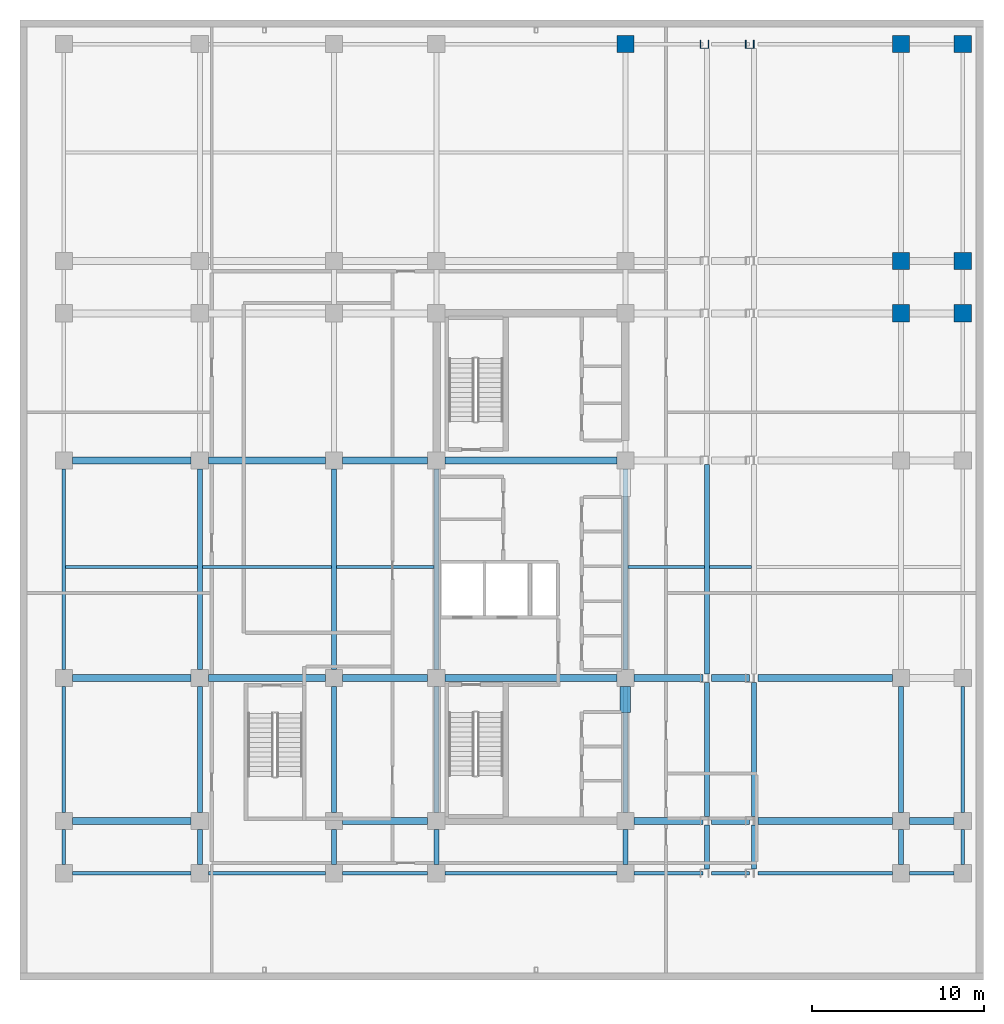
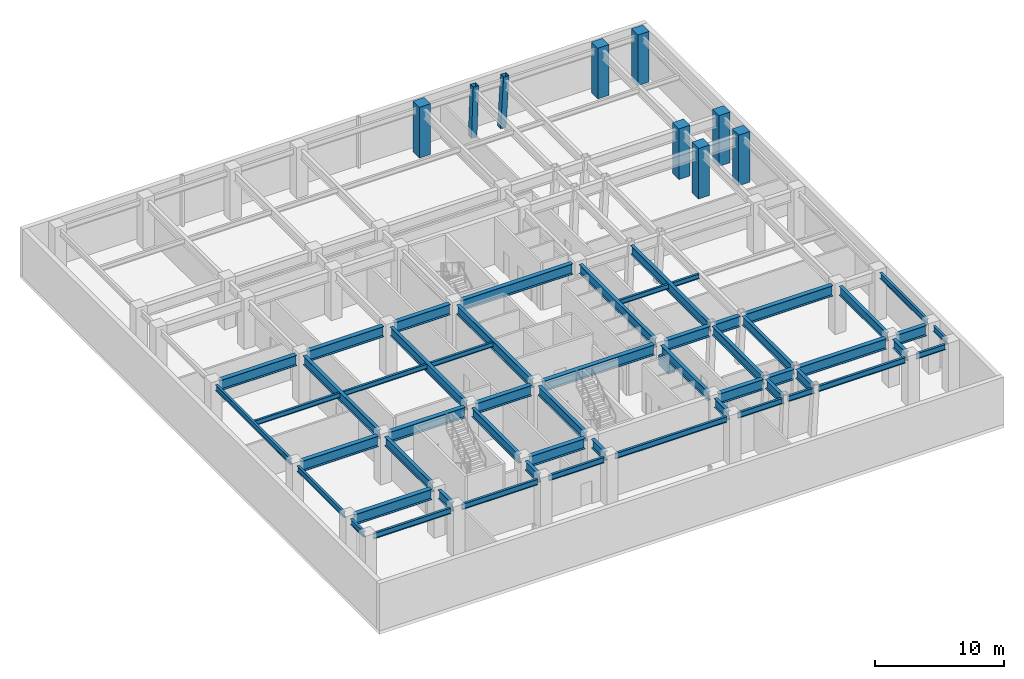
# One storey, part 4 of 9: 55 beams, 9 columns.
"""IFC4 building model written with IfcOpenShell, lengths in metres."""

from ifc_helpers import new_model, si_unit, direction, frame, origin, origin_2d, place, context, subcontext, project, spatial, rectangle, hollow_rectangle, i_section, extrude, material, material_profile, profile_set, type_object, element, save


model = new_model("IFC4")

# Units and contexts
model_context = context("Model", 3, precision=1e-05, world=origin(), true_north=direction((0.0, 1.0)))
body_context = subcontext(model_context, "Body", "Model", "MODEL_VIEW")
ifc_project = project(units=[si_unit("LENGTHUNIT", "METRE"), si_unit("AREAUNIT", "SQUARE_METRE"), si_unit("VOLUMEUNIT", "CUBIC_METRE"), si_unit("PLANEANGLEUNIT", "RADIAN"), si_unit("MASSUNIT", "GRAM", prefix="KILO")], contexts=[model_context])

# Site, building, storey
site_placement = place(None, origin())
site = spatial("IfcSite", under=ifc_project, at=site_placement, CompositionType="ELEMENT")
building_placement = place(site_placement, origin())
building = spatial("IfcBuilding", under=site, at=building_placement, Name="Ochreholt Gables", CompositionType="ELEMENT")
storey_placement = place(building_placement, frame((0.0, 0.0, -4.800048828125)))
storey = spatial("IfcBuildingStorey", under=building, at=storey_placement, Name="B1", CompositionType="ELEMENT", Elevation=-4.800048828125)

# Columns
ifc_material_1 = material(Name="Steel CSA G40.21 350W", Category="steel")
ifc_material_profile_1 = material_profile(ifc_material_1, hollow_rectangle(XDim=0.5, YDim=0.5, WallThickness=0.02197265625, at=origin_2d()), Name="HSS500X500X22")
ifc_profile_set_1 = profile_set([ifc_material_profile_1], Name="Steel CSA G40.21 350W")
column_type_1 = type_object("IfcColumnType", Name="COL-HSS500-RAKE", PredefinedType="COLUMN", material=ifc_profile_set_1)
column_1_placement = place(storey_placement, frame((39.76806640625, 54.39990234375, 0.0), z_axis=(0.034971728386, 0.0, 0.99938830202), x_axis=(0.0, 1.0, 0.0)))
element("IfcColumn", 1, at=column_1_placement, inside=storey, type_object=column_type_1, Name="B1 Column EMY7", PredefinedType="COLUMN", context=body_context, shape_type="SweptSolid", body=[
    extrude(hollow_rectangle(XDim=0.5, YDim=0.5, WallThickness=0.02197265625, at=origin_2d()), origin(), (0.0, 0.0, 1.0), 4.802978515625),
])
column_2_placement = place(storey_placement, frame((42.37841796875, 54.39990234375, 0.0), z_axis=(0.057885584411, 0.0, 0.998323223769), x_axis=(0.0, 1.0, 0.0)))
element("IfcColumn", 2, at=column_2_placement, inside=storey, type_object=column_type_1, Name="B1 Column EEY7", PredefinedType="COLUMN", context=body_context, shape_type="SweptSolid", body=[
    extrude(hollow_rectangle(XDim=0.5, YDim=0.5, WallThickness=0.02197265625, at=origin_2d()), origin(), (0.0, 0.0, 1.0), 4.80810546875),
])
ifc_material_2 = material(Name="Concrete 60 MPa", Category="concrete")
ifc_material_profile_2 = material_profile(ifc_material_2, rectangle(XDim=1.0, YDim=1.0, at=origin_2d()), Name="RC1000X1000")
ifc_profile_set_2 = profile_set([ifc_material_profile_2], Name="Concrete 60 MPa")
column_type_2 = type_object("IfcColumnType", Name="COL-RC1000-EXT", PredefinedType="COLUMN", material=ifc_profile_set_2)
for number, where, z_axis, x_axis, name in (
    (3, (35.199951171875, 54.39990234375, 0.0), (0.0, 0.0, 1.0), (1.0, 0.0, 0.0), "B1 Column C2Y7"),
    (4, (51.199951171875, 54.39990234375, 0.0), (0.0, 0.0, 1.0), (1.0, 0.0, 0.0), "B1 Column E3Y7"),
    (5, (54.800048828125, 38.75, 0.0), (0.0, 0.0, 1.0), (1.0, 0.0, 0.0), "B1 Column E4Y5"),
    (6, (54.800048828125, 41.800048828125, 0.0), (0.0, 0.0, 1.0), (1.0, 0.0, 0.0), "B1 Column E4Y6"),
    (7, (54.800048828125, 54.39990234375, 0.0), (0.0, 0.0, 1.0), (1.0, 0.0, 0.0), "B1 Column E4Y7"),
):
    element("IfcColumn", number, at=place(storey_placement, frame(where, z_axis=z_axis, x_axis=x_axis)), inside=storey, type_object=column_type_2, Name=name, PredefinedType="COLUMN", context=body_context, shape_type="SweptSolid", body=[
        extrude(rectangle(XDim=1.0, YDim=1.0, at=origin_2d()), origin(), (0.0, 0.0, 1.0), 4.800048828125),
    ])
ifc_material_profile_3 = material_profile(ifc_material_2, rectangle(XDim=1.0, YDim=1.0, at=origin_2d()), Name="RC1000X1000")
ifc_profile_set_3 = profile_set([ifc_material_profile_3], Name="Concrete 60 MPa")
column_type_3 = type_object("IfcColumnType", Name="COL-RC1000-INT", PredefinedType="COLUMN", material=ifc_profile_set_3)
for number, where, z_axis, x_axis, name in (
    (8, (51.199951171875, 38.75, 0.0), (0.0, 0.0, 1.0), (1.0, 0.0, 0.0), "B1 Column E3Y5"),
    (9, (51.199951171875, 41.800048828125, 0.0), (0.0, 0.0, 1.0), (1.0, 0.0, 0.0), "B1 Column E3Y6"),
):
    element("IfcColumn", number, at=place(storey_placement, frame(where, z_axis=z_axis, x_axis=x_axis)), inside=storey, type_object=column_type_3, Name=name, PredefinedType="COLUMN", context=body_context, shape_type="SweptSolid", body=[
        extrude(rectangle(XDim=1.0, YDim=1.0, at=origin_2d()), origin(), (0.0, 0.0, 1.0), 4.800048828125),
    ])

# Beams
ifc_material_profile_4 = material_profile(ifc_material_2, rectangle(XDim=0.60009765625, YDim=0.949951171875, at=origin_2d()), Name="RCB600X950")
ifc_profile_set_4 = profile_set([ifc_material_profile_4], Name="Concrete 60 MPa")
beam_type_1 = type_object("IfcBeamType", Name="BM-CPL-RC600", PredefinedType="LINTEL", material=ifc_profile_set_4)
beam_1_placement = place(storey_placement, frame((35.175048828125, 15.550048828125, 3.154052734375), z_axis=(0.0, 1.0, 0.0), x_axis=(-1.0, 0.0, 0.0)))
element("IfcBeam", 10, at=beam_1_placement, inside=storey, type_object=beam_type_1, Name="B1 Core Coupling Lintel CPS", PredefinedType="LINTEL", context=body_context, shape_type="SweptSolid", body=[
    extrude(rectangle(XDim=0.60009765625, YDim=0.949951171875, at=origin_2d()), origin(), (0.0, 0.0, 1.0), 1.5),
])
ifc_material_profile_5 = material_profile(ifc_material_1, i_section(OverallWidth=0.39990234375, OverallDepth=1.0, WebThickness=0.0166015625, FlangeThickness=0.031005859375, at=origin_2d()), Name="W1000X321")
ifc_profile_set_5 = profile_set([ifc_material_profile_5], Name="Steel CSA G40.21 350W")
beam_type_2 = type_object("IfcBeamType", Name="BM-G-W1000", PredefinedType="BEAM", material=ifc_profile_set_5)
beam_2_placement = place(storey_placement, frame((3.049560546875, 9.25, 3.97998046875), z_axis=(1.0, 0.0, 0.0), x_axis=(0.0, 1.0, 0.0)))
element("IfcBeam", 11, at=beam_2_placement, inside=storey, type_object=beam_type_2, Name="B1 Beam BG-B1-W1W2-Y2", PredefinedType="BEAM", context=body_context, shape_type="SweptSolid", body=[
    extrude(i_section(OverallWidth=0.39990234375, OverallDepth=1.0, WebThickness=0.0166015625, FlangeThickness=0.031005859375, at=origin_2d()), origin(), (0.0, 0.0, 1.0), 6.90087890625),
])
beam_3_placement = place(storey_placement, frame((18.74951171875, 9.25, 3.97998046875), z_axis=(1.0, 0.0, 0.0), x_axis=(0.0, 1.0, 0.0)))
element("IfcBeam", 12, at=beam_3_placement, inside=storey, type_object=beam_type_2, Name="B1 Beam BG-B1-W3C1-Y2", PredefinedType="BEAM", context=body_context, shape_type="SweptSolid", body=[
    extrude(i_section(OverallWidth=0.39990234375, OverallDepth=1.0, WebThickness=0.0166015625, FlangeThickness=0.031005859375, at=origin_2d()), origin(), (0.0, 0.0, 1.0), 4.950927734375),
])
beam_4_placement = place(storey_placement, frame((35.69970703125, 9.25, 3.97998046875), z_axis=(1.0, 0.0, 0.0), x_axis=(0.0, 1.0, 0.0)))
element("IfcBeam", 13, at=beam_4_placement, inside=storey, type_object=beam_type_2, Name="B1 Beam BG-B1-C2EM-Y2", PredefinedType="BEAM", context=body_context, shape_type="SweptSolid", body=[
    extrude(i_section(OverallWidth=0.39990234375, OverallDepth=1.0, WebThickness=0.0166015625, FlangeThickness=0.031005859375, at=origin_2d()), origin(), (0.0, 0.0, 1.0), 3.986572265625),
])
beam_5_placement = place(storey_placement, frame((40.185546875, 9.25, 3.97998046875), z_axis=(1.0, 0.0, 0.0), x_axis=(0.0, 1.0, 0.0)))
element("IfcBeam", 14, at=beam_5_placement, inside=storey, type_object=beam_type_2, Name="B1 Beam BG-B1-EMEE-Y2", PredefinedType="BEAM", context=body_context, shape_type="SweptSolid", body=[
    extrude(i_section(OverallWidth=0.39990234375, OverallDepth=1.0, WebThickness=0.0166015625, FlangeThickness=0.031005859375, at=origin_2d()), origin(), (0.0, 0.0, 1.0), 2.2216796875),
])
beam_6_placement = place(storey_placement, frame((42.906494140625, 9.25, 3.97998046875), z_axis=(1.0, 0.0, 0.0), x_axis=(0.0, 1.0, 0.0)))
element("IfcBeam", 15, at=beam_6_placement, inside=storey, type_object=beam_type_2, Name="B1 Beam BG-B1-EEE3-Y2", PredefinedType="BEAM", context=body_context, shape_type="SweptSolid", body=[
    extrude(i_section(OverallWidth=0.39990234375, OverallDepth=1.0, WebThickness=0.0166015625, FlangeThickness=0.031005859375, at=origin_2d()), origin(), (0.0, 0.0, 1.0), 7.7939453125),
])
beam_7_placement = place(storey_placement, frame((51.69970703125, 9.25, 3.97998046875), z_axis=(1.0, 0.0, 0.0), x_axis=(0.0, 1.0, 0.0)))
element("IfcBeam", 16, at=beam_7_placement, inside=storey, type_object=beam_type_2, Name="B1 Beam BG-B1-E3E4-Y2", PredefinedType="BEAM", context=body_context, shape_type="SweptSolid", body=[
    extrude(i_section(OverallWidth=0.39990234375, OverallDepth=1.0, WebThickness=0.0166015625, FlangeThickness=0.031005859375, at=origin_2d()), origin(), (0.0, 0.0, 1.0), 2.6005859375),
])
beam_8_placement = place(storey_placement, frame((3.049560546875, 17.550048828125, 3.97998046875), z_axis=(1.0, 0.0, 0.0), x_axis=(0.0, 1.0, 0.0)))
element("IfcBeam", 17, at=beam_8_placement, inside=storey, type_object=beam_type_2, Name="B1 Beam BG-B1-W1W2-Y3", PredefinedType="BEAM", context=body_context, shape_type="SweptSolid", body=[
    extrude(i_section(OverallWidth=0.39990234375, OverallDepth=1.0, WebThickness=0.0166015625, FlangeThickness=0.031005859375, at=origin_2d()), origin(), (0.0, 0.0, 1.0), 6.90087890625),
])
beam_9_placement = place(storey_placement, frame((10.94970703125, 17.550048828125, 3.97998046875), z_axis=(1.0, 0.0, 0.0), x_axis=(0.0, 1.0, 0.0)))
element("IfcBeam", 18, at=beam_9_placement, inside=storey, type_object=beam_type_2, Name="B1 Beam BG-B1-W2W3-Y3", PredefinedType="BEAM", context=body_context, shape_type="SweptSolid", body=[
    extrude(i_section(OverallWidth=0.39990234375, OverallDepth=1.0, WebThickness=0.0166015625, FlangeThickness=0.031005859375, at=origin_2d()), origin(), (0.0, 0.0, 1.0), 6.80078125),
])
beam_10_placement = place(storey_placement, frame((18.74951171875, 17.550048828125, 3.97998046875), z_axis=(1.0, 0.0, 0.0), x_axis=(0.0, 1.0, 0.0)))
element("IfcBeam", 19, at=beam_10_placement, inside=storey, type_object=beam_type_2, Name="B1 Beam BG-B1-W3C1-Y3", PredefinedType="BEAM", context=body_context, shape_type="SweptSolid", body=[
    extrude(i_section(OverallWidth=0.39990234375, OverallDepth=1.0, WebThickness=0.0166015625, FlangeThickness=0.031005859375, at=origin_2d()), origin(), (0.0, 0.0, 1.0), 4.950927734375),
])
beam_11_placement = place(storey_placement, frame((24.69970703125, 17.550048828125, 3.97998046875), z_axis=(1.0, 0.0, 0.0), x_axis=(0.0, 1.0, 0.0)))
element("IfcBeam", 20, at=beam_11_placement, inside=storey, type_object=beam_type_2, Name="B1 Beam BG-B1-C1C2-Y3", PredefinedType="BEAM", context=body_context, shape_type="SweptSolid", body=[
    extrude(i_section(OverallWidth=0.39990234375, OverallDepth=1.0, WebThickness=0.0166015625, FlangeThickness=0.031005859375, at=origin_2d()), origin(), (0.0, 0.0, 1.0), 10.000732421875),
])
beam_12_placement = place(storey_placement, frame((35.69970703125, 17.550048828125, 3.97998046875), z_axis=(1.0, 0.0, 0.0), x_axis=(0.0, 1.0, 0.0)))
element("IfcBeam", 21, at=beam_12_placement, inside=storey, type_object=beam_type_2, Name="B1 Beam BG-B1-C2EM-Y3", PredefinedType="BEAM", context=body_context, shape_type="SweptSolid", body=[
    extrude(i_section(OverallWidth=0.39990234375, OverallDepth=1.0, WebThickness=0.0166015625, FlangeThickness=0.031005859375, at=origin_2d()), origin(), (0.0, 0.0, 1.0), 3.986572265625),
])
beam_13_placement = place(storey_placement, frame((40.185546875, 17.550048828125, 3.97998046875), z_axis=(1.0, 0.0, 0.0), x_axis=(0.0, 1.0, 0.0)))
element("IfcBeam", 22, at=beam_13_placement, inside=storey, type_object=beam_type_2, Name="B1 Beam BG-B1-EMEE-Y3", PredefinedType="BEAM", context=body_context, shape_type="SweptSolid", body=[
    extrude(i_section(OverallWidth=0.39990234375, OverallDepth=1.0, WebThickness=0.0166015625, FlangeThickness=0.031005859375, at=origin_2d()), origin(), (0.0, 0.0, 1.0), 2.2216796875),
])
beam_14_placement = place(storey_placement, frame((42.906494140625, 17.550048828125, 3.97998046875), z_axis=(1.0, 0.0, 0.0), x_axis=(0.0, 1.0, 0.0)))
element("IfcBeam", 23, at=beam_14_placement, inside=storey, type_object=beam_type_2, Name="B1 Beam BG-B1-EEE3-Y3", PredefinedType="BEAM", context=body_context, shape_type="SweptSolid", body=[
    extrude(i_section(OverallWidth=0.39990234375, OverallDepth=1.0, WebThickness=0.0166015625, FlangeThickness=0.031005859375, at=origin_2d()), origin(), (0.0, 0.0, 1.0), 7.7939453125),
])
beam_15_placement = place(storey_placement, frame((3.049560546875, 30.199951171875, 3.97998046875), z_axis=(1.0, 0.0, 0.0), x_axis=(0.0, 1.0, 0.0)))
element("IfcBeam", 24, at=beam_15_placement, inside=storey, type_object=beam_type_2, Name="B1 Beam BG-B1-W1W2-Y4", PredefinedType="BEAM", context=body_context, shape_type="SweptSolid", body=[
    extrude(i_section(OverallWidth=0.39990234375, OverallDepth=1.0, WebThickness=0.0166015625, FlangeThickness=0.031005859375, at=origin_2d()), origin(), (0.0, 0.0, 1.0), 6.90087890625),
])
beam_16_placement = place(storey_placement, frame((10.94970703125, 30.199951171875, 3.97998046875), z_axis=(1.0, 0.0, 0.0), x_axis=(0.0, 1.0, 0.0)))
element("IfcBeam", 25, at=beam_16_placement, inside=storey, type_object=beam_type_2, Name="B1 Beam BG-B1-W2W3-Y4", PredefinedType="BEAM", context=body_context, shape_type="SweptSolid", body=[
    extrude(i_section(OverallWidth=0.39990234375, OverallDepth=1.0, WebThickness=0.0166015625, FlangeThickness=0.031005859375, at=origin_2d()), origin(), (0.0, 0.0, 1.0), 6.80078125),
])
beam_17_placement = place(storey_placement, frame((18.74951171875, 30.199951171875, 3.97998046875), z_axis=(1.0, 0.0, 0.0), x_axis=(0.0, 1.0, 0.0)))
element("IfcBeam", 26, at=beam_17_placement, inside=storey, type_object=beam_type_2, Name="B1 Beam BG-B1-W3C1-Y4", PredefinedType="BEAM", context=body_context, shape_type="SweptSolid", body=[
    extrude(i_section(OverallWidth=0.39990234375, OverallDepth=1.0, WebThickness=0.0166015625, FlangeThickness=0.031005859375, at=origin_2d()), origin(), (0.0, 0.0, 1.0), 4.950927734375),
])
beam_18_placement = place(storey_placement, frame((24.69970703125, 30.199951171875, 3.97998046875), z_axis=(1.0, 0.0, 0.0), x_axis=(0.0, 1.0, 0.0)))
element("IfcBeam", 27, at=beam_18_placement, inside=storey, type_object=beam_type_2, Name="B1 Beam BG-B1-C1C2-Y4", PredefinedType="BEAM", context=body_context, shape_type="SweptSolid", body=[
    extrude(i_section(OverallWidth=0.39990234375, OverallDepth=1.0, WebThickness=0.0166015625, FlangeThickness=0.031005859375, at=origin_2d()), origin(), (0.0, 0.0, 1.0), 10.000732421875),
])
ifc_material_profile_6 = material_profile(ifc_material_1, i_section(OverallWidth=0.2939453125, OverallDepth=0.85107421875, WebThickness=0.01611328125, FlangeThickness=0.02685546875, at=origin_2d()), Name="W840X226")
ifc_profile_set_6 = profile_set([ifc_material_profile_6], Name="Steel CSA G40.21 350W")
beam_type_3 = type_object("IfcBeamType", Name="BM-G-W840", PredefinedType="BEAM", material=ifc_profile_set_6)
beam_19_placement = place(storey_placement, frame((10.449951171875, 6.69970703125, 4.054443359375), z_axis=(0.0, 1.0, 0.0), x_axis=(-1.0, 0.0, 0.0)))
element("IfcBeam", 28, at=beam_19_placement, inside=storey, type_object=beam_type_3, Name="B1 Beam BG-B1-W2-Y1Y2", PredefinedType="BEAM", context=body_context, shape_type="SweptSolid", body=[
    extrude(i_section(OverallWidth=0.2939453125, OverallDepth=0.85107421875, WebThickness=0.01611328125, FlangeThickness=0.02685546875, at=origin_2d()), origin(), (0.0, 0.0, 1.0), 2.05078125),
])
beam_20_placement = place(storey_placement, frame((10.449951171875, 9.74951171875, 4.054443359375), z_axis=(0.0, 1.0, 0.0), x_axis=(-1.0, 0.0, 0.0)))
element("IfcBeam", 29, at=beam_20_placement, inside=storey, type_object=beam_type_3, Name="B1 Beam BG-B1-W2-Y2Y3", PredefinedType="BEAM", context=body_context, shape_type="SweptSolid", body=[
    extrude(i_section(OverallWidth=0.2939453125, OverallDepth=0.85107421875, WebThickness=0.01611328125, FlangeThickness=0.02685546875, at=origin_2d()), origin(), (0.0, 0.0, 1.0), 7.30078125),
])
beam_21_placement = place(storey_placement, frame((10.449951171875, 18.049560546875, 4.054443359375), z_axis=(0.0, 1.0, 0.0), x_axis=(-1.0, 0.0, 0.0)))
element("IfcBeam", 30, at=beam_21_placement, inside=storey, type_object=beam_type_3, Name="B1 Beam BG-B1-W2-Y3Y4", PredefinedType="BEAM", context=body_context, shape_type="SweptSolid", body=[
    extrude(i_section(OverallWidth=0.2939453125, OverallDepth=0.85107421875, WebThickness=0.01611328125, FlangeThickness=0.02685546875, at=origin_2d()), origin(), (0.0, 0.0, 1.0), 11.65087890625),
])
beam_22_placement = place(storey_placement, frame((18.25, 6.69970703125, 4.054443359375), z_axis=(0.0, 1.0, 0.0), x_axis=(-1.0, 0.0, 0.0)))
element("IfcBeam", 31, at=beam_22_placement, inside=storey, type_object=beam_type_3, Name="B1 Beam BG-B1-W3-Y1Y2", PredefinedType="BEAM", context=body_context, shape_type="SweptSolid", body=[
    extrude(i_section(OverallWidth=0.2939453125, OverallDepth=0.85107421875, WebThickness=0.01611328125, FlangeThickness=0.02685546875, at=origin_2d()), origin(), (0.0, 0.0, 1.0), 2.05078125),
])
beam_23_placement = place(storey_placement, frame((18.25, 9.74951171875, 4.054443359375), z_axis=(0.0, 1.0, 0.0), x_axis=(-1.0, 0.0, 0.0)))
element("IfcBeam", 32, at=beam_23_placement, inside=storey, type_object=beam_type_3, Name="B1 Beam BG-B1-W3-Y2Y3", PredefinedType="BEAM", context=body_context, shape_type="SweptSolid", body=[
    extrude(i_section(OverallWidth=0.2939453125, OverallDepth=0.85107421875, WebThickness=0.01611328125, FlangeThickness=0.02685546875, at=origin_2d()), origin(), (0.0, 0.0, 1.0), 7.30078125),
])
beam_24_placement = place(storey_placement, frame((18.25, 18.049560546875, 4.054443359375), z_axis=(0.0, 1.0, 0.0), x_axis=(-1.0, 0.0, 0.0)))
element("IfcBeam", 33, at=beam_24_placement, inside=storey, type_object=beam_type_3, Name="B1 Beam BG-B1-W3-Y3Y4", PredefinedType="BEAM", context=body_context, shape_type="SweptSolid", body=[
    extrude(i_section(OverallWidth=0.2939453125, OverallDepth=0.85107421875, WebThickness=0.01611328125, FlangeThickness=0.02685546875, at=origin_2d()), origin(), (0.0, 0.0, 1.0), 11.65087890625),
])
beam_25_placement = place(storey_placement, frame((24.199951171875, 6.69970703125, 4.054443359375), z_axis=(0.0, 1.0, 0.0), x_axis=(-1.0, 0.0, 0.0)))
element("IfcBeam", 34, at=beam_25_placement, inside=storey, type_object=beam_type_3, Name="B1 Beam BG-B1-C1-Y1Y2", PredefinedType="BEAM", context=body_context, shape_type="SweptSolid", body=[
    extrude(i_section(OverallWidth=0.2939453125, OverallDepth=0.85107421875, WebThickness=0.01611328125, FlangeThickness=0.02685546875, at=origin_2d()), origin(), (0.0, 0.0, 1.0), 2.05078125),
])
beam_26_placement = place(storey_placement, frame((24.199951171875, 9.74951171875, 4.054443359375), z_axis=(0.0, 1.0, 0.0), x_axis=(-1.0, 0.0, 0.0)))
element("IfcBeam", 35, at=beam_26_placement, inside=storey, type_object=beam_type_3, Name="B1 Beam BG-B1-C1-Y2Y3", PredefinedType="BEAM", context=body_context, shape_type="SweptSolid", body=[
    extrude(i_section(OverallWidth=0.2939453125, OverallDepth=0.85107421875, WebThickness=0.01611328125, FlangeThickness=0.02685546875, at=origin_2d()), origin(), (0.0, 0.0, 1.0), 7.30078125),
])
beam_27_placement = place(storey_placement, frame((24.199951171875, 18.049560546875, 4.054443359375), z_axis=(0.0, 1.0, 0.0), x_axis=(-1.0, 0.0, 0.0)))
element("IfcBeam", 36, at=beam_27_placement, inside=storey, type_object=beam_type_3, Name="B1 Beam BG-B1-C1-Y3Y4", PredefinedType="BEAM", context=body_context, shape_type="SweptSolid", body=[
    extrude(i_section(OverallWidth=0.2939453125, OverallDepth=0.85107421875, WebThickness=0.01611328125, FlangeThickness=0.02685546875, at=origin_2d()), origin(), (0.0, 0.0, 1.0), 11.65087890625),
])
beam_28_placement = place(storey_placement, frame((35.199951171875, 6.69970703125, 4.054443359375), z_axis=(0.0, 1.0, 0.0), x_axis=(-1.0, 0.0, 0.0)))
element("IfcBeam", 37, at=beam_28_placement, inside=storey, type_object=beam_type_3, Name="B1 Beam BG-B1-C2-Y1Y2", PredefinedType="BEAM", context=body_context, shape_type="SweptSolid", body=[
    extrude(i_section(OverallWidth=0.2939453125, OverallDepth=0.85107421875, WebThickness=0.01611328125, FlangeThickness=0.02685546875, at=origin_2d()), origin(), (0.0, 0.0, 1.0), 2.05078125),
])
beam_29_placement = place(storey_placement, frame((35.199951171875, 9.74951171875, 4.054443359375), z_axis=(0.0, 1.0, 0.0), x_axis=(-1.0, 0.0, 0.0)))
element("IfcBeam", 38, at=beam_29_placement, inside=storey, type_object=beam_type_3, Name="B1 Beam BG-B1-C2-Y2Y3", PredefinedType="BEAM", context=body_context, shape_type="SweptSolid", body=[
    extrude(i_section(OverallWidth=0.2939453125, OverallDepth=0.85107421875, WebThickness=0.01611328125, FlangeThickness=0.02685546875, at=origin_2d()), origin(), (0.0, 0.0, 1.0), 7.30078125),
])
beam_30_placement = place(storey_placement, frame((35.199951171875, 18.049560546875, 4.054443359375), z_axis=(0.0, 1.0, 0.0), x_axis=(-1.0, 0.0, 0.0)))
element("IfcBeam", 39, at=beam_30_placement, inside=storey, type_object=beam_type_3, Name="B1 Beam BG-B1-C2-Y3Y4", PredefinedType="BEAM", context=body_context, shape_type="SweptSolid", body=[
    extrude(i_section(OverallWidth=0.2939453125, OverallDepth=0.85107421875, WebThickness=0.01611328125, FlangeThickness=0.02685546875, at=origin_2d()), origin(), (0.0, 0.0, 1.0), 11.65087890625),
])
beam_31_placement = place(storey_placement, frame((39.93603515625, 6.44970703125, 4.054443359375), z_axis=(0.0, 1.0, 0.0), x_axis=(-1.0, 0.0, 0.0)))
element("IfcBeam", 40, at=beam_31_placement, inside=storey, type_object=beam_type_3, Name="B1 Beam BG-B1-EM-Y1Y2", PredefinedType="BEAM", context=body_context, shape_type="SweptSolid", body=[
    extrude(i_section(OverallWidth=0.2939453125, OverallDepth=0.85107421875, WebThickness=0.01611328125, FlangeThickness=0.02685546875, at=origin_2d()), origin(), (0.0, 0.0, 1.0), 2.55078125),
])
beam_32_placement = place(storey_placement, frame((39.93603515625, 9.49951171875, 4.054443359375), z_axis=(0.0, 1.0, 0.0), x_axis=(-1.0, 0.0, 0.0)))
element("IfcBeam", 41, at=beam_32_placement, inside=storey, type_object=beam_type_3, Name="B1 Beam BG-B1-EM-Y2Y3", PredefinedType="BEAM", context=body_context, shape_type="SweptSolid", body=[
    extrude(i_section(OverallWidth=0.2939453125, OverallDepth=0.85107421875, WebThickness=0.01611328125, FlangeThickness=0.02685546875, at=origin_2d()), origin(), (0.0, 0.0, 1.0), 7.80078125),
])
beam_33_placement = place(storey_placement, frame((39.93603515625, 17.799560546875, 4.054443359375), z_axis=(0.0, 1.0, 0.0), x_axis=(-1.0, 0.0, 0.0)))
element("IfcBeam", 42, at=beam_33_placement, inside=storey, type_object=beam_type_3, Name="B1 Beam BG-B1-EM-Y3Y4", PredefinedType="BEAM", context=body_context, shape_type="SweptSolid", body=[
    extrude(i_section(OverallWidth=0.2939453125, OverallDepth=0.85107421875, WebThickness=0.01611328125, FlangeThickness=0.02685546875, at=origin_2d()), origin(), (0.0, 0.0, 1.0), 12.15087890625),
])
beam_34_placement = place(storey_placement, frame((42.65673828125, 6.44970703125, 4.054443359375), z_axis=(0.0, 1.0, 0.0), x_axis=(-1.0, 0.0, 0.0)))
element("IfcBeam", 43, at=beam_34_placement, inside=storey, type_object=beam_type_3, Name="B1 Beam BG-B1-EE-Y1Y2", PredefinedType="BEAM", context=body_context, shape_type="SweptSolid", body=[
    extrude(i_section(OverallWidth=0.2939453125, OverallDepth=0.85107421875, WebThickness=0.01611328125, FlangeThickness=0.02685546875, at=origin_2d()), origin(), (0.0, 0.0, 1.0), 2.55078125),
])
beam_35_placement = place(storey_placement, frame((42.65673828125, 9.49951171875, 4.054443359375), z_axis=(0.0, 1.0, 0.0), x_axis=(-1.0, 0.0, 0.0)))
element("IfcBeam", 44, at=beam_35_placement, inside=storey, type_object=beam_type_3, Name="B1 Beam BG-B1-EE-Y2Y3", PredefinedType="BEAM", context=body_context, shape_type="SweptSolid", body=[
    extrude(i_section(OverallWidth=0.2939453125, OverallDepth=0.85107421875, WebThickness=0.01611328125, FlangeThickness=0.02685546875, at=origin_2d()), origin(), (0.0, 0.0, 1.0), 7.80078125),
])
beam_36_placement = place(storey_placement, frame((51.199951171875, 6.69970703125, 4.054443359375), z_axis=(0.0, 1.0, 0.0), x_axis=(-1.0, 0.0, 0.0)))
element("IfcBeam", 45, at=beam_36_placement, inside=storey, type_object=beam_type_3, Name="B1 Beam BG-B1-E3-Y1Y2", PredefinedType="BEAM", context=body_context, shape_type="SweptSolid", body=[
    extrude(i_section(OverallWidth=0.2939453125, OverallDepth=0.85107421875, WebThickness=0.01611328125, FlangeThickness=0.02685546875, at=origin_2d()), origin(), (0.0, 0.0, 1.0), 2.05078125),
])
beam_37_placement = place(storey_placement, frame((51.199951171875, 9.74951171875, 4.054443359375), z_axis=(0.0, 1.0, 0.0), x_axis=(-1.0, 0.0, 0.0)))
element("IfcBeam", 46, at=beam_37_placement, inside=storey, type_object=beam_type_3, Name="B1 Beam BG-B1-E3-Y2Y3", PredefinedType="BEAM", context=body_context, shape_type="SweptSolid", body=[
    extrude(i_section(OverallWidth=0.2939453125, OverallDepth=0.85107421875, WebThickness=0.01611328125, FlangeThickness=0.02685546875, at=origin_2d()), origin(), (0.0, 0.0, 1.0), 7.30078125),
])
ifc_material_profile_7 = material_profile(ifc_material_1, i_section(OverallWidth=0.18994140625, OverallDepth=0.45703125, WebThickness=0.009033203125, FlangeThickness=0.014404296875, at=origin_2d()), Name="W460X74")
ifc_profile_set_7 = profile_set([ifc_material_profile_7], Name="Steel CSA G40.21 350W")
beam_type_4 = type_object("IfcBeamType", Name="BM-J-W460B", PredefinedType="JOIST", material=ifc_profile_set_7)
beam_38_placement = place(storey_placement, frame((2.654052734375, 24.0, 4.25146484375), z_axis=(1.0, 0.0, 0.0), x_axis=(0.0, 1.0, 0.0)))
element("IfcBeam", 47, at=beam_38_placement, inside=storey, type_object=beam_type_4, Name="B1 Beam BJ-B1-J1-W1W2", PredefinedType="JOIST", context=body_context, shape_type="SweptSolid", body=[
    extrude(i_section(OverallWidth=0.18994140625, OverallDepth=0.45703125, WebThickness=0.009033203125, FlangeThickness=0.014404296875, at=origin_2d()), origin(), (0.0, 0.0, 1.0), 7.6494140625),
])
beam_39_placement = place(storey_placement, frame((10.5966796875, 24.0, 4.25146484375), z_axis=(1.0, 0.0, 0.0), x_axis=(0.0, 1.0, 0.0)))
element("IfcBeam", 48, at=beam_39_placement, inside=storey, type_object=beam_type_4, Name="B1 Beam BJ-B1-J1-W2W3", PredefinedType="JOIST", context=body_context, shape_type="SweptSolid", body=[
    extrude(i_section(OverallWidth=0.18994140625, OverallDepth=0.45703125, WebThickness=0.009033203125, FlangeThickness=0.014404296875, at=origin_2d()), origin(), (0.0, 0.0, 1.0), 7.5068359375),
])
beam_40_placement = place(storey_placement, frame((18.396484375, 24.0, 4.25146484375), z_axis=(1.0, 0.0, 0.0), x_axis=(0.0, 1.0, 0.0)))
element("IfcBeam", 49, at=beam_40_placement, inside=storey, type_object=beam_type_4, Name="B1 Beam BJ-B1-J1-W3C1", PredefinedType="JOIST", context=body_context, shape_type="SweptSolid", body=[
    extrude(i_section(OverallWidth=0.18994140625, OverallDepth=0.45703125, WebThickness=0.009033203125, FlangeThickness=0.014404296875, at=origin_2d()), origin(), (0.0, 0.0, 1.0), 5.656982421875),
])
beam_41_placement = place(storey_placement, frame((35.3466796875, 24.0, 4.25146484375), z_axis=(1.0, 0.0, 0.0), x_axis=(0.0, 1.0, 0.0)))
element("IfcBeam", 50, at=beam_41_placement, inside=storey, type_object=beam_type_4, Name="B1 Beam BJ-B1-J1-C2EM", PredefinedType="JOIST", context=body_context, shape_type="SweptSolid", body=[
    extrude(i_section(OverallWidth=0.18994140625, OverallDepth=0.45703125, WebThickness=0.009033203125, FlangeThickness=0.014404296875, at=origin_2d()), origin(), (0.0, 0.0, 1.0), 4.442626953125),
])
beam_42_placement = place(storey_placement, frame((40.08251953125, 24.0, 4.25146484375), z_axis=(1.0, 0.0, 0.0), x_axis=(0.0, 1.0, 0.0)))
element("IfcBeam", 51, at=beam_42_placement, inside=storey, type_object=beam_type_4, Name="B1 Beam BJ-B1-J1-EMEE", PredefinedType="JOIST", context=body_context, shape_type="SweptSolid", body=[
    extrude(i_section(OverallWidth=0.18994140625, OverallDepth=0.45703125, WebThickness=0.009033203125, FlangeThickness=0.014404296875, at=origin_2d()), origin(), (0.0, 0.0, 1.0), 2.427734375),
])
ifc_material_profile_8 = material_profile(ifc_material_1, i_section(OverallWidth=0.208984375, OverallDepth=0.532958984375, WebThickness=0.01025390625, FlangeThickness=0.015625, at=origin_2d()), Name="W530X92")
ifc_profile_set_8 = profile_set([ifc_material_profile_8], Name="Steel CSA G40.21 350W")
beam_type_5 = type_object("IfcBeamType", Name="BM-SP-W530B", PredefinedType="SPANDREL", material=ifc_profile_set_8)
beam_43_placement = place(storey_placement, frame((3.049560546875, 6.199951171875, 4.213623046875), z_axis=(1.0, 0.0, 0.0), x_axis=(0.0, 1.0, 0.0)))
element("IfcBeam", 52, at=beam_43_placement, inside=storey, type_object=beam_type_5, Name="B1 Beam BG-B1-W1W2-Y1", PredefinedType="SPANDREL", context=body_context, shape_type="SweptSolid", body=[
    extrude(i_section(OverallWidth=0.208984375, OverallDepth=0.532958984375, WebThickness=0.01025390625, FlangeThickness=0.015625, at=origin_2d()), origin(), (0.0, 0.0, 1.0), 6.90087890625),
])
beam_44_placement = place(storey_placement, frame((10.94970703125, 6.199951171875, 4.213623046875), z_axis=(1.0, 0.0, 0.0), x_axis=(0.0, 1.0, 0.0)))
element("IfcBeam", 53, at=beam_44_placement, inside=storey, type_object=beam_type_5, Name="B1 Beam BG-B1-W2W3-Y1", PredefinedType="SPANDREL", context=body_context, shape_type="SweptSolid", body=[
    extrude(i_section(OverallWidth=0.208984375, OverallDepth=0.532958984375, WebThickness=0.01025390625, FlangeThickness=0.015625, at=origin_2d()), origin(), (0.0, 0.0, 1.0), 6.80078125),
])
beam_45_placement = place(storey_placement, frame((18.74951171875, 6.199951171875, 4.213623046875), z_axis=(1.0, 0.0, 0.0), x_axis=(0.0, 1.0, 0.0)))
element("IfcBeam", 54, at=beam_45_placement, inside=storey, type_object=beam_type_5, Name="B1 Beam BG-B1-W3C1-Y1", PredefinedType="SPANDREL", context=body_context, shape_type="SweptSolid", body=[
    extrude(i_section(OverallWidth=0.208984375, OverallDepth=0.532958984375, WebThickness=0.01025390625, FlangeThickness=0.015625, at=origin_2d()), origin(), (0.0, 0.0, 1.0), 4.950927734375),
])
beam_46_placement = place(storey_placement, frame((24.69970703125, 6.199951171875, 4.213623046875), z_axis=(1.0, 0.0, 0.0), x_axis=(0.0, 1.0, 0.0)))
element("IfcBeam", 55, at=beam_46_placement, inside=storey, type_object=beam_type_5, Name="B1 Beam BG-B1-C1C2-Y1", PredefinedType="SPANDREL", context=body_context, shape_type="SweptSolid", body=[
    extrude(i_section(OverallWidth=0.208984375, OverallDepth=0.532958984375, WebThickness=0.01025390625, FlangeThickness=0.015625, at=origin_2d()), origin(), (0.0, 0.0, 1.0), 10.000732421875),
])
beam_47_placement = place(storey_placement, frame((35.69970703125, 6.199951171875, 4.213623046875), z_axis=(1.0, 0.0, 0.0), x_axis=(0.0, 1.0, 0.0)))
element("IfcBeam", 56, at=beam_47_placement, inside=storey, type_object=beam_type_5, Name="B1 Beam BG-B1-C2EM-Y1", PredefinedType="SPANDREL", context=body_context, shape_type="SweptSolid", body=[
    extrude(i_section(OverallWidth=0.208984375, OverallDepth=0.532958984375, WebThickness=0.01025390625, FlangeThickness=0.015625, at=origin_2d()), origin(), (0.0, 0.0, 1.0), 3.986572265625),
])
beam_48_placement = place(storey_placement, frame((40.185546875, 6.199951171875, 4.213623046875), z_axis=(1.0, 0.0, 0.0), x_axis=(0.0, 1.0, 0.0)))
element("IfcBeam", 57, at=beam_48_placement, inside=storey, type_object=beam_type_5, Name="B1 Beam BG-B1-EMEE-Y1", PredefinedType="SPANDREL", context=body_context, shape_type="SweptSolid", body=[
    extrude(i_section(OverallWidth=0.208984375, OverallDepth=0.532958984375, WebThickness=0.01025390625, FlangeThickness=0.015625, at=origin_2d()), origin(), (0.0, 0.0, 1.0), 2.2216796875),
])
beam_49_placement = place(storey_placement, frame((42.906494140625, 6.199951171875, 4.213623046875), z_axis=(1.0, 0.0, 0.0), x_axis=(0.0, 1.0, 0.0)))
element("IfcBeam", 58, at=beam_49_placement, inside=storey, type_object=beam_type_5, Name="B1 Beam BG-B1-EEE3-Y1", PredefinedType="SPANDREL", context=body_context, shape_type="SweptSolid", body=[
    extrude(i_section(OverallWidth=0.208984375, OverallDepth=0.532958984375, WebThickness=0.01025390625, FlangeThickness=0.015625, at=origin_2d()), origin(), (0.0, 0.0, 1.0), 7.7939453125),
])
beam_50_placement = place(storey_placement, frame((51.69970703125, 6.199951171875, 4.213623046875), z_axis=(1.0, 0.0, 0.0), x_axis=(0.0, 1.0, 0.0)))
element("IfcBeam", 59, at=beam_50_placement, inside=storey, type_object=beam_type_5, Name="B1 Beam BG-B1-E3E4-Y1", PredefinedType="SPANDREL", context=body_context, shape_type="SweptSolid", body=[
    extrude(i_section(OverallWidth=0.208984375, OverallDepth=0.532958984375, WebThickness=0.01025390625, FlangeThickness=0.015625, at=origin_2d()), origin(), (0.0, 0.0, 1.0), 2.6005859375),
])
beam_51_placement = place(storey_placement, frame((2.550048828125, 6.69970703125, 4.213623046875), z_axis=(0.0, 1.0, 0.0), x_axis=(-1.0, 0.0, 0.0)))
element("IfcBeam", 60, at=beam_51_placement, inside=storey, type_object=beam_type_5, Name="B1 Beam BG-B1-W1-Y1Y2", PredefinedType="SPANDREL", context=body_context, shape_type="SweptSolid", body=[
    extrude(i_section(OverallWidth=0.208984375, OverallDepth=0.532958984375, WebThickness=0.01025390625, FlangeThickness=0.015625, at=origin_2d()), origin(), (0.0, 0.0, 1.0), 2.05078125),
])
beam_52_placement = place(storey_placement, frame((2.550048828125, 9.74951171875, 4.213623046875), z_axis=(0.0, 1.0, 0.0), x_axis=(-1.0, 0.0, 0.0)))
element("IfcBeam", 61, at=beam_52_placement, inside=storey, type_object=beam_type_5, Name="B1 Beam BG-B1-W1-Y2Y3", PredefinedType="SPANDREL", context=body_context, shape_type="SweptSolid", body=[
    extrude(i_section(OverallWidth=0.208984375, OverallDepth=0.532958984375, WebThickness=0.01025390625, FlangeThickness=0.015625, at=origin_2d()), origin(), (0.0, 0.0, 1.0), 7.30078125),
])
beam_53_placement = place(storey_placement, frame((2.550048828125, 18.049560546875, 4.213623046875), z_axis=(0.0, 1.0, 0.0), x_axis=(-1.0, 0.0, 0.0)))
element("IfcBeam", 62, at=beam_53_placement, inside=storey, type_object=beam_type_5, Name="B1 Beam BG-B1-W1-Y3Y4", PredefinedType="SPANDREL", context=body_context, shape_type="SweptSolid", body=[
    extrude(i_section(OverallWidth=0.208984375, OverallDepth=0.532958984375, WebThickness=0.01025390625, FlangeThickness=0.015625, at=origin_2d()), origin(), (0.0, 0.0, 1.0), 11.65087890625),
])
beam_54_placement = place(storey_placement, frame((54.800048828125, 6.69970703125, 4.213623046875), z_axis=(0.0, 1.0, 0.0), x_axis=(-1.0, 0.0, 0.0)))
element("IfcBeam", 63, at=beam_54_placement, inside=storey, type_object=beam_type_5, Name="B1 Beam BG-B1-E4-Y1Y2", PredefinedType="SPANDREL", context=body_context, shape_type="SweptSolid", body=[
    extrude(i_section(OverallWidth=0.208984375, OverallDepth=0.532958984375, WebThickness=0.01025390625, FlangeThickness=0.015625, at=origin_2d()), origin(), (0.0, 0.0, 1.0), 2.05078125),
])
beam_55_placement = place(storey_placement, frame((54.800048828125, 9.74951171875, 4.213623046875), z_axis=(0.0, 1.0, 0.0), x_axis=(-1.0, 0.0, 0.0)))
element("IfcBeam", 64, at=beam_55_placement, inside=storey, type_object=beam_type_5, Name="B1 Beam BG-B1-E4-Y2Y3", PredefinedType="SPANDREL", context=body_context, shape_type="SweptSolid", body=[
    extrude(i_section(OverallWidth=0.208984375, OverallDepth=0.532958984375, WebThickness=0.01025390625, FlangeThickness=0.015625, at=origin_2d()), origin(), (0.0, 0.0, 1.0), 7.30078125),
])

save(model, "model.ifc")
